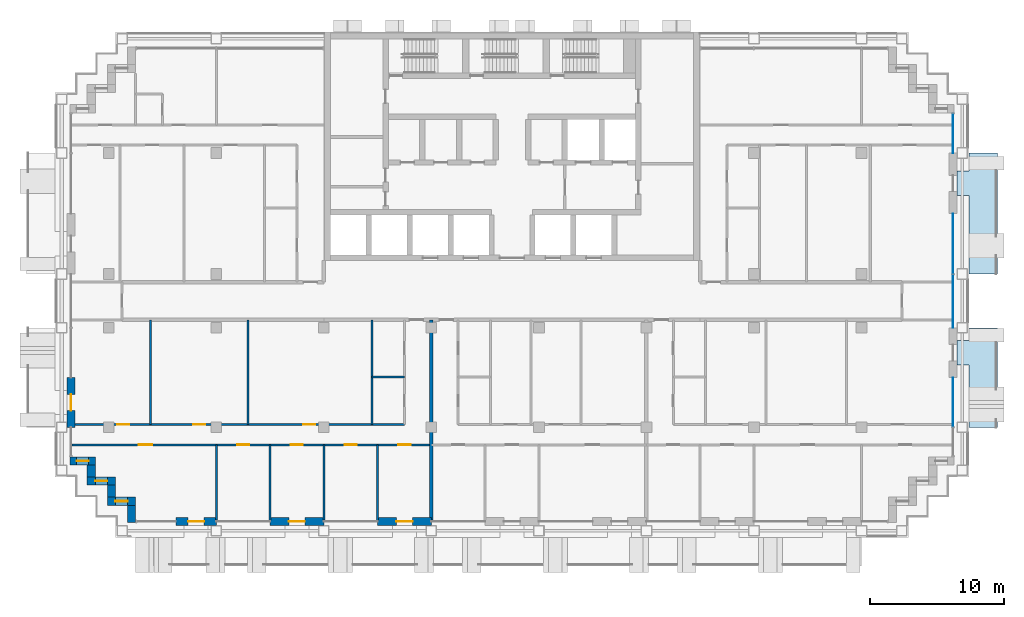
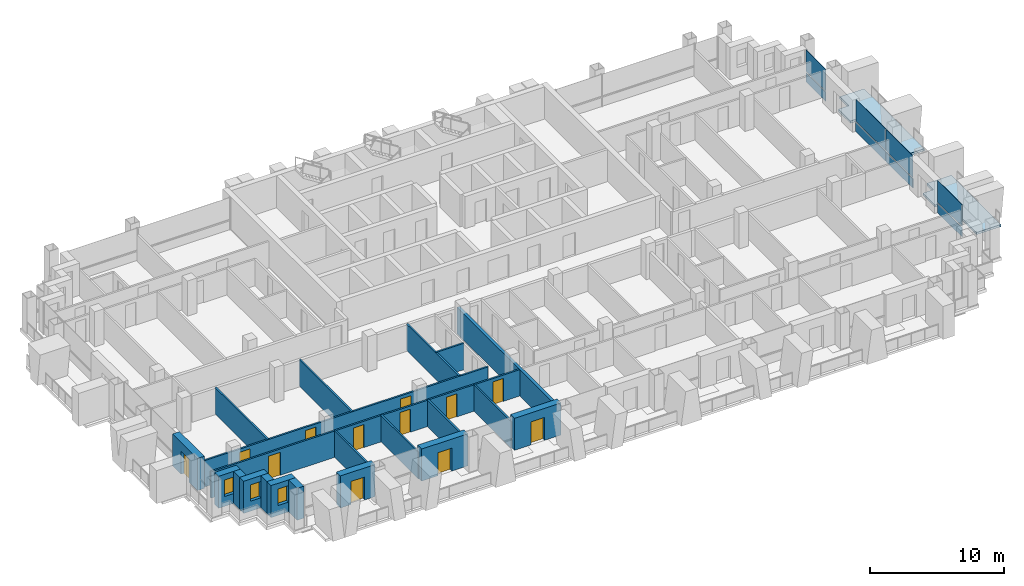
# One storey, part 7 of 16: 21 walls, 12 doors, 8 plates, 3 windows, 2 slabs, 15 openings, 3 elements without a shape of their own.
"""IFC4 building model written with IfcOpenShell, lengths in metres."""

from ifc_helpers import new_model, si_unit, direction, frame, frame_2d, origin, origin_2d, place, context, subcontext, project, spatial, polyline, rectangle, outline, extrude, material, layer, layer_set, type_object, element, fill, aggregate, save


model = new_model("IFC4")

# Units and contexts
model_context = context("Model", 3, precision=1e-05, world=origin(), true_north=direction((0.0, 1.0)))
body_context = subcontext(model_context, "Body", "Model", "MODEL_VIEW")
ifc_project = project(units=[si_unit("LENGTHUNIT", "METRE"), si_unit("AREAUNIT", "SQUARE_METRE"), si_unit("VOLUMEUNIT", "CUBIC_METRE"), si_unit("PLANEANGLEUNIT", "RADIAN"), si_unit("MASSUNIT", "GRAM", prefix="KILO")], contexts=[model_context])

# Site, building, storey
site_placement = place(None, origin())
site = spatial("IfcSite", under=ifc_project, at=site_placement, CompositionType="ELEMENT")
building_placement = place(site_placement, origin())
building = spatial("IfcBuilding", under=site, at=building_placement, Name="Vidyagriha Tower", CompositionType="ELEMENT")
storey_placement = place(building_placement, frame((0.0, 0.0, 132.60009765625)))
storey = spatial("IfcBuildingStorey", under=building, at=storey_placement, Name="L34", CompositionType="ELEMENT", Elevation=132.60009765625)

# Curtain wall, plate
ifc_material_1 = material(Name="Aluminium and glass curtain wall", Category="aluminium")
curtain_wall_type = type_object("IfcCurtainWallType", Name="Dwelling skin unitised curtain wall", PredefinedType="USERDEFINED", material=ifc_material_1)
curtain_wall_1_placement = place(storey_placement, origin())
curtain_wall_1 = element("IfcCurtainWall", 1, at=curtain_wall_1_placement, inside=storey, type_object=curtain_wall_type, Name="CW1 dwelling skin", ObjectType="UNITISED", PredefinedType="USERDEFINED")
ifc_material_2 = material(Name="Glass dark ceramic-fritted spandrel", Category="glass")
ifc_layer_1 = layer(ifc_material_2, 0.0400390625)
ifc_layer_set_1 = layer_set([ifc_layer_1], Name="Glass dark ceramic-fritted spandrel")
plate_type_1 = type_object("IfcPlateType", Name="Ceramic-fritted spandrel panel", PredefinedType="CURTAIN_PANEL", material=ifc_layer_set_1)
plate_1_placement = place(storey_placement, frame((32.800048828125, -7.532470703125, -0.000244140625), z_axis=(0.0, 0.0, 1.0), x_axis=(0.0, 1.0, 0.0)))
plate_1 = element("IfcPlate", 2, at=plate_1_placement, type_object=plate_type_1, Name="CW1 panel 2.1", PredefinedType="CURTAIN_PANEL", context=body_context, shape_type="SweptSolid", body=[
    extrude(rectangle(XDim=3.6650390625, YDim=0.0400390625, at=origin_2d()), origin(), (0.0, 0.0, 1.0), 0.85009765625),
])

curtain_wall_2_placement = place(storey_placement, origin())
curtain_wall_2 = element("IfcCurtainWall", 3, at=curtain_wall_2_placement, inside=storey, type_object=curtain_wall_type, Name="CW1 dwelling skin", ObjectType="UNITISED", PredefinedType="USERDEFINED")
plate_2_placement = place(storey_placement, frame((32.800048828125, 12.465087890625, -0.000244140625), z_axis=(0.0, 0.0, 1.0), x_axis=(0.0, 1.0, 0.0)))
plate_2 = element("IfcPlate", 4, at=plate_2_placement, type_object=plate_type_1, Name="CW1 panel 1.1", PredefinedType="CURTAIN_PANEL", context=body_context, shape_type="SweptSolid", body=[
    extrude(rectangle(XDim=2.929931640625, YDim=0.0400390625, at=origin_2d()), origin(), (0.0, 0.0, 1.0), 0.85009765625),
])

# Plate
ifc_material_3 = material(Name="Glass dark ceramic-fritted", Category="glass")
ifc_layer_2 = layer(ifc_material_3, 0.028076171875)
ifc_layer_set_2 = layer_set([ifc_layer_2], Name="Glass dark ceramic-fritted")
plate_type_2 = type_object("IfcPlateType", Name="Dark ceramic-fritted vision glass panel", PredefinedType="CURTAIN_PANEL", material=ifc_layer_set_2)
plate_3_placement = place(storey_placement, frame((32.800048828125, -7.532470703125, 0.94970703125), z_axis=(0.0, 0.0, 1.0), x_axis=(0.0, 1.0, 0.0)))
plate_3 = element("IfcPlate", 5, at=plate_3_placement, type_object=plate_type_2, Name="CW1 panel 2.2", PredefinedType="CURTAIN_PANEL", context=body_context, shape_type="SweptSolid", body=[
    extrude(rectangle(XDim=3.6650390625, YDim=0.028076171875, at=origin_2d()), origin(), (0.0, 0.0, 1.0), 1.969970703125),
])

aggregate(curtain_wall_1, [plate_1, plate_3])

# Curtain wall, plates
curtain_wall_3_placement = place(storey_placement, origin())
curtain_wall_3 = element("IfcCurtainWall", 6, at=curtain_wall_3_placement, inside=storey, type_object=curtain_wall_type, Name="CW1 dwelling skin", ObjectType="UNITISED", PredefinedType="USERDEFINED")
plate_4_placement = place(storey_placement, frame((32.800048828125, -0.017578125, 0.94970703125), z_axis=(0.0, 0.0, 1.0), x_axis=(0.0, 1.0, 0.0)))
plate_4 = element("IfcPlate", 7, at=plate_4_placement, type_object=plate_type_2, Name="CW1 panel 1.2", PredefinedType="CURTAIN_PANEL", context=body_context, shape_type="SweptSolid", body=[
    extrude(rectangle(XDim=3.965087890625, YDim=0.028076171875, at=origin_2d()), origin(), (0.0, 0.0, 1.0), 1.969970703125),
])
plate_5_placement = place(storey_placement, frame((32.800048828125, 4.267578125, 0.94970703125), z_axis=(0.0, 0.0, 1.0), x_axis=(0.0, 1.0, 0.0)))
plate_5 = element("IfcPlate", 8, at=plate_5_placement, type_object=plate_type_2, Name="CW1 panel 2.2", PredefinedType="CURTAIN_PANEL", context=body_context, shape_type="SweptSolid", body=[
    extrude(rectangle(XDim=4.465087890625, YDim=0.028076171875, at=origin_2d()), origin(), (0.0, 0.0, 1.0), 1.969970703125),
])

# Plate
plate_6_placement = place(storey_placement, frame((32.800048828125, 12.465087890625, 0.94970703125), z_axis=(0.0, 0.0, 1.0), x_axis=(0.0, 1.0, 0.0)))
plate_6 = element("IfcPlate", 9, at=plate_6_placement, type_object=plate_type_2, Name="CW1 panel 1.2", PredefinedType="CURTAIN_PANEL", context=body_context, shape_type="SweptSolid", body=[
    extrude(rectangle(XDim=2.929931640625, YDim=0.028076171875, at=origin_2d()), origin(), (0.0, 0.0, 1.0), 1.969970703125),
])

aggregate(curtain_wall_2, [plate_2, plate_6])

ifc_material_4 = material(Name="Aluminium black anodised", Category="aluminium")
ifc_layer_3 = layer(ifc_material_4, 0.06005859375)
ifc_layer_set_3 = layer_set([ifc_layer_3], Name="Aluminium black anodised")
plate_type_3 = type_object("IfcPlateType", Name="Operable black-metal vent panel", PredefinedType="CURTAIN_PANEL", material=ifc_layer_set_3)
plate_7_placement = place(storey_placement, frame((32.800048828125, -0.017578125, -0.000244140625), z_axis=(0.0, 0.0, 1.0), x_axis=(0.0, 1.0, 0.0)))
plate_7 = element("IfcPlate", 10, at=plate_7_placement, type_object=plate_type_3, Name="CW1 panel 1.1", PredefinedType="CURTAIN_PANEL", context=body_context, shape_type="SweptSolid", body=[
    extrude(rectangle(XDim=3.965087890625, YDim=0.06005859375, at=origin_2d()), origin(), (0.0, 0.0, 1.0), 0.85009765625),
])

plate_8_placement = place(storey_placement, frame((32.800048828125, 4.267578125, -0.000244140625), z_axis=(0.0, 0.0, 1.0), x_axis=(0.0, 1.0, 0.0)))
plate_8 = element("IfcPlate", 11, at=plate_8_placement, type_object=plate_type_3, Name="CW1 panel 2.1", PredefinedType="CURTAIN_PANEL", context=body_context, shape_type="SweptSolid", body=[
    extrude(rectangle(XDim=4.465087890625, YDim=0.06005859375, at=origin_2d()), origin(), (0.0, 0.0, 1.0), 0.85009765625),
])

aggregate(curtain_wall_3, [plate_7, plate_4, plate_8, plate_5])

# Slabs
ifc_material_5 = material(Name="Precast concrete C40/50", Category="concrete")
ifc_layer_4 = layer(ifc_material_5, 0.199951171875)
ifc_layer_set_4 = layer_set([ifc_layer_4], Name="Precast concrete C40/50")
slab_type = type_object("IfcSlabType", Name="Precast balcony slab 200", PredefinedType="USERDEFINED", material=ifc_layer_set_4)
slab_1_placement = place(storey_placement, frame((0.0, 0.0, -0.2001953125)))
element("IfcSlab", 12, at=slab_1_placement, inside=storey, type_object=slab_type, Name="Balcony slab L34 R30.1-1", ObjectType="BALCONY", PredefinedType="USERDEFINED", context=body_context, shape_type="SweptSolid", body=[
    extrude(outline(polyline([(34.0, -4.75), (34.0, -9.39990234375), (36.10009765625, -9.39990234375), (36.10009765625, -2.0), (34.0, -2.0), (34.0, -2.949951171875), (33.10009765625, -2.949951171875), (33.10009765625, -4.75), (34.0, -4.75)])), origin(), (0.0, 0.0, 1.0), 0.2001953125),
])
slab_2_placement = place(storey_placement, frame((0.0, 0.0, -0.2001953125)))
element("IfcSlab", 13, at=slab_2_placement, inside=storey, type_object=slab_type, Name="Balcony slab L34 R30.2-2", ObjectType="BALCONY", PredefinedType="USERDEFINED", context=body_context, shape_type="SweptSolid", body=[
    extrude(outline(polyline([(34.0, 7.85009765625), (34.0, 2.0), (36.10009765625, 2.0), (36.10009765625, 11.0), (34.0, 11.0), (34.0, 9.64990234375), (33.10009765625, 9.64990234375), (33.10009765625, 7.85009765625), (34.0, 7.85009765625)])), origin(), (0.0, 0.0, 1.0), 0.2001953125),
])

# Wall, opening, door
ifc_material_6 = material(Name="Precast concrete C40/50 with brick facing", Category="concrete")
ifc_layer_5 = layer(ifc_material_6, 0.60009765625)
ifc_layer_set_5 = layer_set([ifc_layer_5], Name="Precast concrete C40/50 with brick facing")
wall_type_1 = type_object("IfcWallType", Name="Brick-faced precast wall 600", PredefinedType="STANDARD", material=ifc_layer_set_5)
wall_1_placement = place(storey_placement, frame((-32.800048828125, -5.699951171875, 0.0), z_axis=(0.0, 0.0, 1.0), x_axis=(0.0, -1.0, 0.0)))
wall_1 = element("IfcWall", 14, at=wall_1_placement, inside=storey, type_object=wall_type_1, Name="Brick door bay wall L34 R16.6", PredefinedType="STANDARD", context=body_context, shape_type="SweptSolid", body=[
    extrude(rectangle(XDim=3.699951171875, YDim=0.60009765625, at=frame_2d((1.85009765625, 0.0))), origin(), (0.0, 0.0, 1.0), 2.919921875),
])
opening_1_placement = place(wall_1_placement, frame((1.25, 0.0, 0.0)))
opening_1 = element("IfcOpeningElement", 15, at=opening_1_placement, cuts=wall_1, Name="Opening D34-66", PredefinedType="OPENING", context=body_context, shape_type="SweptSolid", body=[
    extrude(rectangle(XDim=1.199951171875, YDim=2.10009765625, at=frame_2d((0.60009765625, 1.050048828125))), frame((0.0, 0.31005859375, 0.0), z_axis=(0.0, -1.0, 0.0), x_axis=(1.0, 0.0, 0.0)), (0.0, 0.0, 1.0), 0.6201171875),
])
ifc_material_7 = material(Name="Aluminium framed glazed sliding door", Category="aluminium")
door_type_1 = type_object("IfcDoorType", Name="Balcony sliding door 1200x2100", OperationType="NOTDEFINED", PredefinedType="DOOR", material=ifc_material_7)
door_1_placement = place(opening_1_placement, origin())
door_1 = element("IfcDoor", 16, at=door_1_placement, inside=storey, type_object=door_type_1, Name="Door D34-66", OperationType="SLIDING_TO_LEFT", OverallHeight=2.10009765625, OverallWidth=1.199951171875, PredefinedType="DOOR", context=body_context, shape_type="SweptSolid", body=[
    extrude(rectangle(XDim=1.199951171875, YDim=2.10009765625, at=frame_2d((0.60009765625, 1.050048828125))), frame((0.0, 0.02490234375, 0.0), z_axis=(0.0, -1.0, 0.0), x_axis=(1.0, 0.0, 0.0)), (0.0, 0.0, 1.0), 0.050048828125),
])
fill(opening_1, door_1)

# Wall, opening, window
wall_2_placement = place(storey_placement, frame((-32.8798828125, -11.89990234375, 0.0)))
wall_2 = element("IfcWall", 17, at=wall_2_placement, inside=storey, type_object=wall_type_1, Name="Stepped corner wall L34 R17", PredefinedType="STANDARD", context=body_context, shape_type="SweptSolid", body=[
    extrude(rectangle(XDim=1.8798828125, YDim=0.60009765625, at=frame_2d((0.93994140625, 0.0))), origin(), (0.0, 0.0, 1.0), 2.919921875),
])
opening_2_placement = place(wall_2_placement, frame((0.489990234375, 0.0, 0.89990234375)))
opening_2 = element("IfcOpeningElement", 18, at=opening_2_placement, cuts=wall_2, Name="Opening WN1", PredefinedType="OPENING", context=body_context, shape_type="SweptSolid", body=[
    extrude(rectangle(XDim=0.89990234375, YDim=1.5, at=frame_2d((0.449951171875, 0.75))), frame((0.0, 0.31005859375, 0.0), z_axis=(0.0, -1.0, 0.0), x_axis=(1.0, 0.0, 0.0)), (0.0, 0.0, 1.0), 0.6201171875),
])
ifc_material_8 = material(Name="Aluminium and glass window", Category="aluminium")
window_type = type_object("IfcWindowType", Name="Reveal window 900x1500", PartitioningType="NOTDEFINED", PredefinedType="WINDOW", material=ifc_material_8)
window_1_placement = place(opening_2_placement, origin())
window_1 = element("IfcWindow", 19, at=window_1_placement, inside=storey, type_object=window_type, Name="Reveal window L34 R17", OverallHeight=1.5, OverallWidth=0.89990234375, PartitioningType="SINGLE_PANEL", PredefinedType="WINDOW", context=body_context, shape_type="SweptSolid", body=[
    extrude(rectangle(XDim=0.89990234375, YDim=1.5, at=frame_2d((0.449951171875, 0.75))), frame((0.0, 0.030029296875, 0.0), z_axis=(0.0, -1.0, 0.0), x_axis=(1.0, 0.0, 0.0)), (0.0, 0.0, 1.0), 0.06005859375),
])
fill(opening_2, window_1)

# Wall
wall_3_placement = place(storey_placement, frame((-31.300048828125, -12.199951171875, 0.0), z_axis=(0.0, 0.0, 1.0), x_axis=(0.0, -1.0, 0.0)))
element("IfcWall", 20, at=wall_3_placement, inside=storey, type_object=wall_type_1, Name="Stepped corner wall L34 R18", PredefinedType="STANDARD", context=body_context, shape_type="SweptSolid", body=[
    extrude(rectangle(XDim=0.900146484375, YDim=0.60009765625, at=frame_2d((0.4501953125, 0.0))), origin(), (0.0, 0.0, 1.0), 2.919921875),
])

# Wall, opening, window
wall_4_placement = place(storey_placement, frame((-31.60009765625, -13.39990234375, 0.0)))
wall_4 = element("IfcWall", 21, at=wall_4_placement, inside=storey, type_object=wall_type_1, Name="Stepped corner wall L34 R19", PredefinedType="STANDARD", context=body_context, shape_type="SweptSolid", body=[
    extrude(rectangle(XDim=2.10009765625, YDim=0.60009765625, at=frame_2d((1.050048828125, 0.0))), origin(), (0.0, 0.0, 1.0), 2.919921875),
])
opening_3_placement = place(wall_4_placement, frame((0.60009765625, 0.0, 0.89990234375)))
opening_3 = element("IfcOpeningElement", 22, at=opening_3_placement, cuts=wall_4, Name="Opening WN1", PredefinedType="OPENING", context=body_context, shape_type="SweptSolid", body=[
    extrude(rectangle(XDim=0.89990234375, YDim=1.5, at=frame_2d((0.449951171875, 0.75))), frame((0.0, 0.31005859375, 0.0), z_axis=(0.0, -1.0, 0.0), x_axis=(1.0, 0.0, 0.0)), (0.0, 0.0, 1.0), 0.6201171875),
])
window_2_placement = place(opening_3_placement, origin())
window_2 = element("IfcWindow", 23, at=window_2_placement, inside=storey, type_object=window_type, Name="Reveal window L34 R19", OverallHeight=1.5, OverallWidth=0.89990234375, PartitioningType="SINGLE_PANEL", PredefinedType="WINDOW", context=body_context, shape_type="SweptSolid", body=[
    extrude(rectangle(XDim=0.89990234375, YDim=1.5, at=frame_2d((0.449951171875, 0.75))), frame((0.0, 0.030029296875, 0.0), z_axis=(0.0, -1.0, 0.0), x_axis=(1.0, 0.0, 0.0)), (0.0, 0.0, 1.0), 0.06005859375),
])
fill(opening_3, window_2)

# Wall
wall_5_placement = place(storey_placement, frame((-29.800048828125, -13.699951171875, 0.0), z_axis=(0.0, 0.0, 1.0), x_axis=(0.0, -1.0, 0.0)))
element("IfcWall", 24, at=wall_5_placement, inside=storey, type_object=wall_type_1, Name="Stepped corner wall L34 R20", PredefinedType="STANDARD", context=body_context, shape_type="SweptSolid", body=[
    extrude(rectangle(XDim=0.900146484375, YDim=0.60009765625, at=frame_2d((0.4501953125, 0.0))), origin(), (0.0, 0.0, 1.0), 2.919921875),
])

# Wall, opening, window
wall_6_placement = place(storey_placement, frame((-30.10009765625, -14.89990234375, 0.0)))
wall_6 = element("IfcWall", 25, at=wall_6_placement, inside=storey, type_object=wall_type_1, Name="Stepped corner wall L34 R21", PredefinedType="STANDARD", context=body_context, shape_type="SweptSolid", body=[
    extrude(rectangle(XDim=2.10009765625, YDim=0.60009765625, at=frame_2d((1.050048828125, 0.0))), origin(), (0.0, 0.0, 1.0), 2.919921875),
])
opening_4_placement = place(wall_6_placement, frame((0.60009765625, 0.0, 0.89990234375)))
opening_4 = element("IfcOpeningElement", 26, at=opening_4_placement, cuts=wall_6, Name="Opening WN1", PredefinedType="OPENING", context=body_context, shape_type="SweptSolid", body=[
    extrude(rectangle(XDim=0.89990234375, YDim=1.5, at=frame_2d((0.449951171875, 0.75))), frame((0.0, 0.31005859375, 0.0), z_axis=(0.0, -1.0, 0.0), x_axis=(1.0, 0.0, 0.0)), (0.0, 0.0, 1.0), 0.6201171875),
])
window_3_placement = place(opening_4_placement, origin())
window_3 = element("IfcWindow", 27, at=window_3_placement, inside=storey, type_object=window_type, Name="Reveal window L34 R21", OverallHeight=1.5, OverallWidth=0.89990234375, PartitioningType="SINGLE_PANEL", PredefinedType="WINDOW", context=body_context, shape_type="SweptSolid", body=[
    extrude(rectangle(XDim=0.89990234375, YDim=1.5, at=frame_2d((0.449951171875, 0.75))), frame((0.0, 0.030029296875, 0.0), z_axis=(0.0, -1.0, 0.0), x_axis=(1.0, 0.0, 0.0)), (0.0, 0.0, 1.0), 0.06005859375),
])
fill(opening_4, window_3)

# Wall
wall_7_placement = place(storey_placement, frame((-28.300048828125, -15.199951171875, 0.0), z_axis=(0.0, 0.0, 1.0), x_axis=(0.0, -1.0, 0.0)))
element("IfcWall", 28, at=wall_7_placement, inside=storey, type_object=wall_type_1, Name="Stepped corner wall L34 R22", PredefinedType="STANDARD", context=body_context, shape_type="SweptSolid", body=[
    extrude(rectangle(XDim=1.280029296875, YDim=0.60009765625, at=frame_2d((0.64013671875, 0.0))), origin(), (0.0, 0.0, 1.0), 2.919921875),
])

# Wall, opening, door
wall_8_placement = place(storey_placement, frame((-25.0, -16.39990234375, 0.0)))
wall_8 = element("IfcWall", 29, at=wall_8_placement, inside=storey, type_object=wall_type_1, Name="Brick door bay wall L34 R23.2", PredefinedType="STANDARD", context=body_context, shape_type="SweptSolid", body=[
    extrude(rectangle(XDim=3.0, YDim=0.60009765625, at=frame_2d((1.5, 0.0))), origin(), (0.0, 0.0, 1.0), 2.919921875),
])
opening_5_placement = place(wall_8_placement, frame((0.89990234375, 0.0, 0.0)))
opening_5 = element("IfcOpeningElement", 30, at=opening_5_placement, cuts=wall_8, Name="Opening D34-67", PredefinedType="OPENING", context=body_context, shape_type="SweptSolid", body=[
    extrude(rectangle(XDim=1.199951171875, YDim=2.10009765625, at=frame_2d((0.60009765625, 1.050048828125))), frame((0.0, 0.31005859375, 0.0), z_axis=(0.0, -1.0, 0.0), x_axis=(1.0, 0.0, 0.0)), (0.0, 0.0, 1.0), 0.6201171875),
])
door_2_placement = place(opening_5_placement, origin())
door_2 = element("IfcDoor", 31, at=door_2_placement, inside=storey, type_object=door_type_1, Name="Door D34-67", OperationType="SLIDING_TO_LEFT", OverallHeight=2.10009765625, OverallWidth=1.199951171875, PredefinedType="DOOR", context=body_context, shape_type="SweptSolid", body=[
    extrude(rectangle(XDim=1.199951171875, YDim=2.10009765625, at=frame_2d((0.60009765625, 1.050048828125))), frame((0.0, 0.02490234375, 0.0), z_axis=(0.0, -1.0, 0.0), x_axis=(1.0, 0.0, 0.0)), (0.0, 0.0, 1.0), 0.050048828125),
])
fill(opening_5, door_2)

wall_9_placement = place(storey_placement, frame((-18.0, -16.39990234375, 0.0)))
wall_9 = element("IfcWall", 32, at=wall_9_placement, inside=storey, type_object=wall_type_1, Name="Brick door bay wall L34 R23.4", PredefinedType="STANDARD", context=body_context, shape_type="SweptSolid", body=[
    extrude(rectangle(XDim=4.0, YDim=0.60009765625, at=frame_2d((2.0, 0.0))), origin(), (0.0, 0.0, 1.0), 2.919921875),
])
opening_6_placement = place(wall_9_placement, frame((1.39990234375, 0.0, 0.0)))
opening_6 = element("IfcOpeningElement", 33, at=opening_6_placement, cuts=wall_9, Name="Opening D34-68", PredefinedType="OPENING", context=body_context, shape_type="SweptSolid", body=[
    extrude(rectangle(XDim=1.199951171875, YDim=2.10009765625, at=frame_2d((0.60009765625, 1.050048828125))), frame((0.0, 0.31005859375, 0.0), z_axis=(0.0, -1.0, 0.0), x_axis=(1.0, 0.0, 0.0)), (0.0, 0.0, 1.0), 0.6201171875),
])
door_3_placement = place(opening_6_placement, origin())
door_3 = element("IfcDoor", 34, at=door_3_placement, inside=storey, type_object=door_type_1, Name="Door D34-68", OperationType="SLIDING_TO_LEFT", OverallHeight=2.10009765625, OverallWidth=1.199951171875, PredefinedType="DOOR", context=body_context, shape_type="SweptSolid", body=[
    extrude(rectangle(XDim=1.199951171875, YDim=2.10009765625, at=frame_2d((0.60009765625, 1.050048828125))), frame((0.0, 0.02490234375, 0.0), z_axis=(0.0, -1.0, 0.0), x_axis=(1.0, 0.0, 0.0)), (0.0, 0.0, 1.0), 0.050048828125),
])
fill(opening_6, door_3)

wall_10_placement = place(storey_placement, frame((-10.0, -16.39990234375, 0.0)))
wall_10 = element("IfcWall", 35, at=wall_10_placement, inside=storey, type_object=wall_type_1, Name="Brick door bay wall L34 R23.6", PredefinedType="STANDARD", context=body_context, shape_type="SweptSolid", body=[
    extrude(rectangle(XDim=4.0, YDim=0.60009765625, at=frame_2d((2.0, 0.0))), origin(), (0.0, 0.0, 1.0), 2.919921875),
])
opening_7_placement = place(wall_10_placement, frame((1.39990234375, 0.0, 0.0)))
opening_7 = element("IfcOpeningElement", 36, at=opening_7_placement, cuts=wall_10, Name="Opening D34-69", PredefinedType="OPENING", context=body_context, shape_type="SweptSolid", body=[
    extrude(rectangle(XDim=1.199951171875, YDim=2.10009765625, at=frame_2d((0.60009765625, 1.050048828125))), frame((0.0, 0.31005859375, 0.0), z_axis=(0.0, -1.0, 0.0), x_axis=(1.0, 0.0, 0.0)), (0.0, 0.0, 1.0), 0.6201171875),
])
door_4_placement = place(opening_7_placement, origin())
door_4 = element("IfcDoor", 37, at=door_4_placement, inside=storey, type_object=door_type_1, Name="Door D34-69", OperationType="SLIDING_TO_LEFT", OverallHeight=2.10009765625, OverallWidth=1.199951171875, PredefinedType="DOOR", context=body_context, shape_type="SweptSolid", body=[
    extrude(rectangle(XDim=1.199951171875, YDim=2.10009765625, at=frame_2d((0.60009765625, 1.050048828125))), frame((0.0, 0.02490234375, 0.0), z_axis=(0.0, -1.0, 0.0), x_axis=(1.0, 0.0, 0.0)), (0.0, 0.0, 1.0), 0.050048828125),
])
fill(opening_7, door_4)

# Walls
ifc_material_9 = material(Name="Fired clay brick masonry", Category="masonry")
ifc_layer_6 = layer(ifc_material_9, 0.25)
ifc_layer_set_6 = layer_set([ifc_layer_6], Name="Fired clay brick masonry")
wall_type_2 = type_object("IfcWallType", Name="Fired clay brick demising wall 250", PredefinedType="PARTITIONING", material=ifc_layer_set_6)
wall_11_placement = place(storey_placement, frame((-6.0, -1.39990234375, 0.0), z_axis=(0.0, 0.0, 1.0), x_axis=(0.0, -1.0, 0.0)))
element("IfcWall", 38, at=wall_11_placement, inside=storey, type_object=wall_type_2, Name="Wall all-L34-w041", PredefinedType="PARTITIONING", context=body_context, shape_type="SweptSolid", body=[
    extrude(rectangle(XDim=14.91015625, YDim=0.25, at=frame_2d((7.455078125, 0.0))), origin(), (0.0, 0.0, 1.0), 2.39990234375),
])
ifc_material_10 = material(Name="Gypsum board partition")
ifc_layer_7 = layer(ifc_material_10, 0.14990234375)
ifc_layer_set_7 = layer_set([ifc_layer_7], Name="Gypsum board partition")
wall_type_3 = type_object("IfcWallType", Name="Gypsum board partition 150", PredefinedType="PARTITIONING", material=ifc_layer_set_7)
wall_12_placement = place(storey_placement, frame((-8.0, -5.64990234375, 0.0), z_axis=(0.0, 0.0, 1.0), x_axis=(-1.0, 0.0, 0.0)))
element("IfcWall", 39, at=wall_12_placement, inside=storey, type_object=wall_type_3, Name="Wall all-L34-w004", PredefinedType="PARTITIONING", context=body_context, shape_type="SweptSolid", body=[
    extrude(rectangle(XDim=2.39990234375, YDim=0.14990234375, at=frame_2d((1.199951171875, 0.0))), origin(), (0.0, 0.0, 1.0), 2.39990234375),
])
for number, where, z_axis, x_axis, name in (
    (40, (-10.39990234375, -9.199951171875, 0.0), (0.0, 0.0, 1.0), (0.0, 1.0, 0.0), "Wall all-L34-w005"),
    (41, (-19.64990234375, -9.199951171875, 0.0), (0.0, 0.0, 1.0), (0.0, 1.0, 0.0), "Wall all-L34-w006"),
    (42, (-26.89990234375, -9.199951171875, 0.0), (0.0, 0.0, 1.0), (0.0, 1.0, 0.0), "Wall all-L34-w007"),
):
    element("IfcWall", number, at=place(storey_placement, frame(where, z_axis=z_axis, x_axis=x_axis)), inside=storey, type_object=wall_type_3, Name=name, PredefinedType="PARTITIONING", context=body_context, shape_type="SweptSolid", body=[
        extrude(rectangle(XDim=7.800048828125, YDim=0.14990234375, at=frame_2d((3.89990234375, 0.0))), origin(), (0.0, 0.0, 1.0), 2.39990234375),
    ])

# Wall, openings, doors
wall_13_placement = place(storey_placement, frame((-32.7099609375, -9.199951171875, 0.0)))
wall_13 = element("IfcWall", 43, at=wall_13_placement, inside=storey, type_object=wall_type_3, Name="Wall all-L34-w008", PredefinedType="PARTITIONING", context=body_context, shape_type="SweptSolid", body=[
    extrude(rectangle(XDim=24.7099609375, YDim=0.14990234375, at=frame_2d((12.35498046875, 0.0))), origin(), (0.0, 0.0, 1.0), 2.39990234375),
])
opening_8_placement = place(wall_13_placement, frame((17.19189453125, 0.0, 0.0)))
opening_8 = element("IfcOpeningElement", 44, at=opening_8_placement, cuts=wall_13, Name="Opening D34-17", PredefinedType="OPENING", context=body_context, shape_type="SweptSolid", body=[
    extrude(rectangle(XDim=0.89990234375, YDim=2.10009765625, at=frame_2d((0.449951171875, 1.050048828125))), frame((0.0, 0.0849609375, 0.0), z_axis=(0.0, -1.0, 0.0), x_axis=(1.0, 0.0, 0.0)), (0.0, 0.0, 1.0), 0.169921875),
])
opening_9_placement = place(wall_13_placement, frame((8.985107421875, 0.0, 0.0)))
opening_9 = element("IfcOpeningElement", 45, at=opening_9_placement, cuts=wall_13, Name="Opening D34-18", PredefinedType="OPENING", context=body_context, shape_type="SweptSolid", body=[
    extrude(rectangle(XDim=0.89990234375, YDim=2.10009765625, at=frame_2d((0.449951171875, 1.050048828125))), frame((0.0, 0.0849609375, 0.0), z_axis=(0.0, -1.0, 0.0), x_axis=(1.0, 0.0, 0.0)), (0.0, 0.0, 1.0), 0.169921875),
])
opening_10_placement = place(wall_13_placement, frame((3.327880859375, 0.0, 0.0)))
opening_10 = element("IfcOpeningElement", 46, at=opening_10_placement, cuts=wall_13, Name="Opening D34-19", PredefinedType="OPENING", context=body_context, shape_type="SweptSolid", body=[
    extrude(rectangle(XDim=0.89990234375, YDim=2.10009765625, at=frame_2d((0.449951171875, 1.050048828125))), frame((0.0, 0.0849609375, 0.0), z_axis=(0.0, -1.0, 0.0), x_axis=(1.0, 0.0, 0.0)), (0.0, 0.0, 1.0), 0.169921875),
])
ifc_material_11 = material(Name="Timber door leaf", Category="wood")
door_type_2 = type_object("IfcDoorType", Name="Room door 900x2100", OperationType="NOTDEFINED", PredefinedType="DOOR", material=ifc_material_11)
door_5_placement = place(opening_8_placement, origin())
door_5 = element("IfcDoor", 47, at=door_5_placement, inside=storey, type_object=door_type_2, Name="Door D34-17", OperationType="SINGLE_SWING_LEFT", OverallHeight=2.10009765625, OverallWidth=0.89990234375, PredefinedType="DOOR", context=body_context, shape_type="SweptSolid", body=[
    extrude(rectangle(XDim=0.89990234375, YDim=2.10009765625, at=frame_2d((0.449951171875, 1.050048828125))), frame((0.0, 0.02490234375, 0.0), z_axis=(0.0, -1.0, 0.0), x_axis=(1.0, 0.0, 0.0)), (0.0, 0.0, 1.0), 0.050048828125),
])
fill(opening_8, door_5)
door_6_placement = place(opening_9_placement, origin())
door_6 = element("IfcDoor", 48, at=door_6_placement, inside=storey, type_object=door_type_2, Name="Door D34-18", OperationType="SINGLE_SWING_RIGHT", OverallHeight=2.10009765625, OverallWidth=0.89990234375, PredefinedType="DOOR", context=body_context, shape_type="SweptSolid", body=[
    extrude(rectangle(XDim=0.89990234375, YDim=2.10009765625, at=frame_2d((0.449951171875, 1.050048828125))), frame((0.0, 0.02490234375, 0.0), z_axis=(0.0, -1.0, 0.0), x_axis=(1.0, 0.0, 0.0)), (0.0, 0.0, 1.0), 0.050048828125),
])
fill(opening_9, door_6)
door_7_placement = place(opening_10_placement, origin())
door_7 = element("IfcDoor", 49, at=door_7_placement, inside=storey, type_object=door_type_2, Name="Door D34-19", OperationType="SINGLE_SWING_RIGHT", OverallHeight=2.10009765625, OverallWidth=0.89990234375, PredefinedType="DOOR", context=body_context, shape_type="SweptSolid", body=[
    extrude(rectangle(XDim=0.89990234375, YDim=2.10009765625, at=frame_2d((0.449951171875, 1.050048828125))), frame((0.0, 0.02490234375, 0.0), z_axis=(0.0, -1.0, 0.0), x_axis=(1.0, 0.0, 0.0)), (0.0, 0.0, 1.0), 0.050048828125),
])
fill(opening_10, door_7)

wall_14_placement = place(storey_placement, frame((-6.0, -10.699951171875, 0.0), z_axis=(0.0, 0.0, 1.0), x_axis=(-1.0, 0.0, 0.0)))
wall_14 = element("IfcWall", 50, at=wall_14_placement, inside=storey, type_object=wall_type_3, Name="Wall all-L34-w012", PredefinedType="PARTITIONING", context=body_context, shape_type="SweptSolid", body=[
    extrude(rectangle(XDim=26.719970703125, YDim=0.14990234375, at=frame_2d((13.35986328125, 0.0))), origin(), (0.0, 0.0, 1.0), 2.39990234375),
])
opening_11_placement = place(wall_14_placement, frame((20.75, 0.0, 0.0)))
opening_11 = element("IfcOpeningElement", 51, at=opening_11_placement, cuts=wall_14, Name="Opening D34-20", PredefinedType="OPENING", context=body_context, shape_type="SweptSolid", body=[
    extrude(rectangle(XDim=1.0, YDim=2.10009765625, at=frame_2d((0.5, 1.050048828125))), frame((0.0, 0.0849609375, 0.0), z_axis=(0.0, -1.0, 0.0), x_axis=(1.0, 0.0, 0.0)), (0.0, 0.0, 1.0), 0.169921875),
])
opening_12_placement = place(wall_14_placement, frame((13.550048828125, 0.0, 0.0)))
opening_12 = element("IfcOpeningElement", 52, at=opening_12_placement, cuts=wall_14, Name="Opening D34-21", PredefinedType="OPENING", context=body_context, shape_type="SweptSolid", body=[
    extrude(rectangle(XDim=0.89990234375, YDim=2.10009765625, at=frame_2d((0.449951171875, 1.050048828125))), frame((0.0, 0.0849609375, 0.0), z_axis=(0.0, -1.0, 0.0), x_axis=(1.0, 0.0, 0.0)), (0.0, 0.0, 1.0), 0.169921875),
])
opening_13_placement = place(wall_14_placement, frame((9.550048828125, 0.0, 0.0)))
opening_13 = element("IfcOpeningElement", 53, at=opening_13_placement, cuts=wall_14, Name="Opening D34-22", PredefinedType="OPENING", context=body_context, shape_type="SweptSolid", body=[
    extrude(rectangle(XDim=0.89990234375, YDim=2.10009765625, at=frame_2d((0.449951171875, 1.050048828125))), frame((0.0, 0.0849609375, 0.0), z_axis=(0.0, -1.0, 0.0), x_axis=(1.0, 0.0, 0.0)), (0.0, 0.0, 1.0), 0.169921875),
])
opening_14_placement = place(wall_14_placement, frame((5.550048828125, 0.0, 0.0)))
opening_14 = element("IfcOpeningElement", 54, at=opening_14_placement, cuts=wall_14, Name="Opening D34-23", PredefinedType="OPENING", context=body_context, shape_type="SweptSolid", body=[
    extrude(rectangle(XDim=0.89990234375, YDim=2.10009765625, at=frame_2d((0.449951171875, 1.050048828125))), frame((0.0, 0.0849609375, 0.0), z_axis=(0.0, -1.0, 0.0), x_axis=(1.0, 0.0, 0.0)), (0.0, 0.0, 1.0), 0.169921875),
])
opening_15_placement = place(wall_14_placement, frame((1.550048828125, 0.0, 0.0)))
opening_15 = element("IfcOpeningElement", 55, at=opening_15_placement, cuts=wall_14, Name="Opening D34-24", PredefinedType="OPENING", context=body_context, shape_type="SweptSolid", body=[
    extrude(rectangle(XDim=0.89990234375, YDim=2.10009765625, at=frame_2d((0.449951171875, 1.050048828125))), frame((0.0, 0.0849609375, 0.0), z_axis=(0.0, -1.0, 0.0), x_axis=(1.0, 0.0, 0.0)), (0.0, 0.0, 1.0), 0.169921875),
])
ifc_material_12 = material(Name="Timber door leaf", Category="wood")
door_type_3 = type_object("IfcDoorType", Name="Room door 1000x2100", OperationType="NOTDEFINED", PredefinedType="DOOR", material=ifc_material_12)
door_8_placement = place(opening_11_placement, origin())
door_8 = element("IfcDoor", 56, at=door_8_placement, inside=storey, type_object=door_type_3, Name="Door D34-20", OperationType="SINGLE_SWING_RIGHT", OverallHeight=2.10009765625, OverallWidth=1.0, PredefinedType="DOOR", context=body_context, shape_type="SweptSolid", body=[
    extrude(rectangle(XDim=1.0, YDim=2.10009765625, at=frame_2d((0.5, 1.050048828125))), frame((0.0, 0.02490234375, 0.0), z_axis=(0.0, -1.0, 0.0), x_axis=(1.0, 0.0, 0.0)), (0.0, 0.0, 1.0), 0.050048828125),
])
fill(opening_11, door_8)
door_9_placement = place(opening_12_placement, origin())
door_9 = element("IfcDoor", 57, at=door_9_placement, inside=storey, type_object=door_type_2, Name="Door D34-21", OperationType="SINGLE_SWING_RIGHT", OverallHeight=2.10009765625, OverallWidth=0.89990234375, PredefinedType="DOOR", context=body_context, shape_type="SweptSolid", body=[
    extrude(rectangle(XDim=0.89990234375, YDim=2.10009765625, at=frame_2d((0.449951171875, 1.050048828125))), frame((0.0, 0.02490234375, 0.0), z_axis=(0.0, -1.0, 0.0), x_axis=(1.0, 0.0, 0.0)), (0.0, 0.0, 1.0), 0.050048828125),
])
fill(opening_12, door_9)
door_10_placement = place(opening_13_placement, origin())
door_10 = element("IfcDoor", 58, at=door_10_placement, inside=storey, type_object=door_type_2, Name="Door D34-22", OperationType="SINGLE_SWING_RIGHT", OverallHeight=2.10009765625, OverallWidth=0.89990234375, PredefinedType="DOOR", context=body_context, shape_type="SweptSolid", body=[
    extrude(rectangle(XDim=0.89990234375, YDim=2.10009765625, at=frame_2d((0.449951171875, 1.050048828125))), frame((0.0, 0.02490234375, 0.0), z_axis=(0.0, -1.0, 0.0), x_axis=(1.0, 0.0, 0.0)), (0.0, 0.0, 1.0), 0.050048828125),
])
fill(opening_13, door_10)
door_11_placement = place(opening_14_placement, origin())
door_11 = element("IfcDoor", 59, at=door_11_placement, inside=storey, type_object=door_type_2, Name="Door D34-23", OperationType="SINGLE_SWING_RIGHT", OverallHeight=2.10009765625, OverallWidth=0.89990234375, PredefinedType="DOOR", context=body_context, shape_type="SweptSolid", body=[
    extrude(rectangle(XDim=0.89990234375, YDim=2.10009765625, at=frame_2d((0.449951171875, 1.050048828125))), frame((0.0, 0.02490234375, 0.0), z_axis=(0.0, -1.0, 0.0), x_axis=(1.0, 0.0, 0.0)), (0.0, 0.0, 1.0), 0.050048828125),
])
fill(opening_14, door_11)
door_12_placement = place(opening_15_placement, origin())
door_12 = element("IfcDoor", 60, at=door_12_placement, inside=storey, type_object=door_type_2, Name="Door D34-24", OperationType="SINGLE_SWING_RIGHT", OverallHeight=2.10009765625, OverallWidth=0.89990234375, PredefinedType="DOOR", context=body_context, shape_type="SweptSolid", body=[
    extrude(rectangle(XDim=0.89990234375, YDim=2.10009765625, at=frame_2d((0.449951171875, 1.050048828125))), frame((0.0, 0.02490234375, 0.0), z_axis=(0.0, -1.0, 0.0), x_axis=(1.0, 0.0, 0.0)), (0.0, 0.0, 1.0), 0.050048828125),
])
fill(opening_15, door_12)

# Walls
wall_15_placement = place(storey_placement, frame((-22.0, -10.699951171875, 0.0), z_axis=(0.0, 0.0, 1.0), x_axis=(0.0, -1.0, 0.0)))
element("IfcWall", 61, at=wall_15_placement, inside=storey, type_object=wall_type_3, Name="Wall all-L34-w018", PredefinedType="PARTITIONING", context=body_context, shape_type="SweptSolid", body=[
    extrude(rectangle(XDim=5.610107421875, YDim=0.14990234375, at=frame_2d((2.80517578125, 0.0))), origin(), (0.0, 0.0, 1.0), 2.39990234375),
])
wall_16_placement = place(storey_placement, frame((-18.0, -10.699951171875, 0.0), z_axis=(0.0, 0.0, 1.0), x_axis=(0.0, -1.0, 0.0)))
element("IfcWall", 62, at=wall_16_placement, inside=storey, type_object=wall_type_3, Name="Wall all-L34-w019", PredefinedType="PARTITIONING", context=body_context, shape_type="SweptSolid", body=[
    extrude(rectangle(XDim=5.62109375, YDim=0.14990234375, at=frame_2d((2.810546875, 0.0))), origin(), (0.0, 0.0, 1.0), 2.39990234375),
])
wall_17_placement = place(storey_placement, frame((-14.0, -10.699951171875, 0.0), z_axis=(0.0, 0.0, 1.0), x_axis=(0.0, -1.0, 0.0)))
element("IfcWall", 63, at=wall_17_placement, inside=storey, type_object=wall_type_3, Name="Wall all-L34-w020", PredefinedType="PARTITIONING", context=body_context, shape_type="SweptSolid", body=[
    extrude(rectangle(XDim=5.610107421875, YDim=0.14990234375, at=frame_2d((2.80517578125, 0.0))), origin(), (0.0, 0.0, 1.0), 2.39990234375),
])
wall_18_placement = place(storey_placement, frame((-10.0, -10.699951171875, 0.0), z_axis=(0.0, 0.0, 1.0), x_axis=(0.0, -1.0, 0.0)))
element("IfcWall", 64, at=wall_18_placement, inside=storey, type_object=wall_type_3, Name="Wall all-L34-w021", PredefinedType="PARTITIONING", context=body_context, shape_type="SweptSolid", body=[
    extrude(rectangle(XDim=5.62109375, YDim=0.14990234375, at=frame_2d((2.810546875, 0.0))), origin(), (0.0, 0.0, 1.0), 2.39990234375),
])

save(model, "model.ifc")
